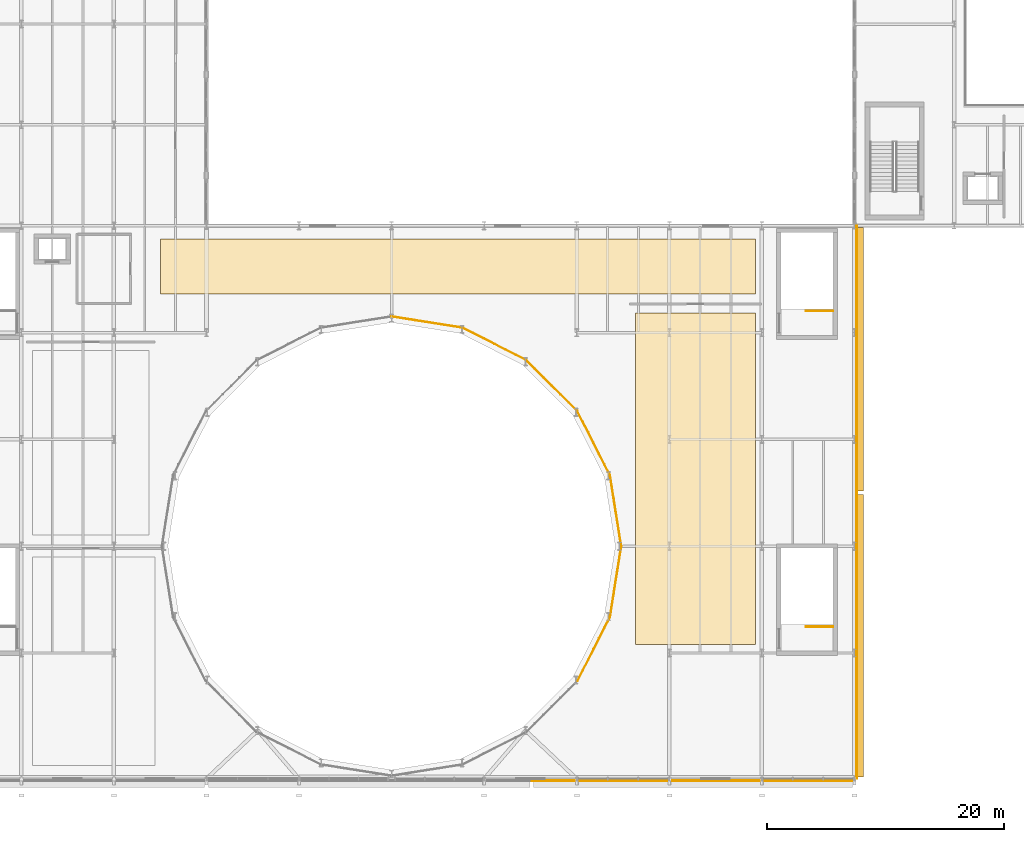
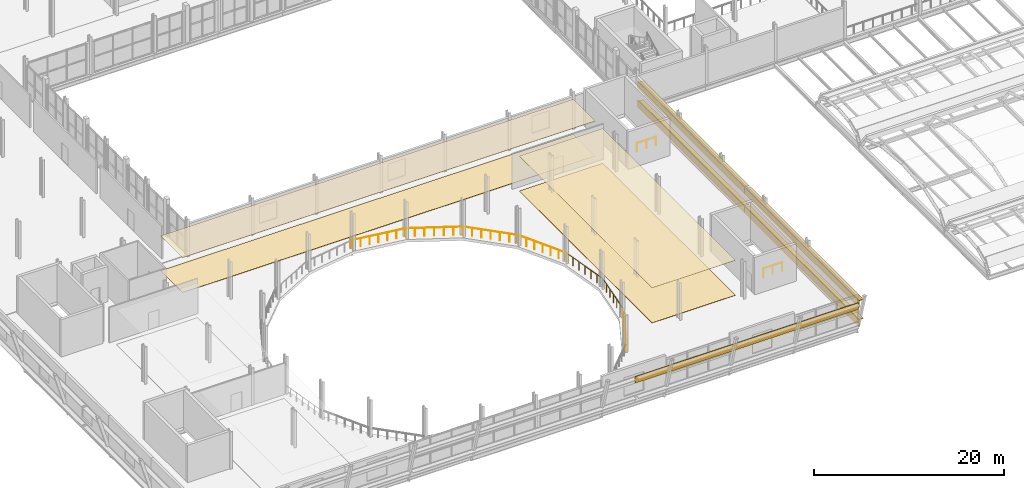
# One storey, part 57 of 63: 9 coverings, 9 railings, 4 shading devices.
"""IFC4 building model written with IfcOpenShell, lengths in metres."""

from ifc_helpers import new_model, si_unit, direction, frame, origin, origin_2d, place, context, subcontext, project, spatial, polyline, rectangle, circle, outline, extrude, material, layer, layer_set, type_object, element, save


model = new_model("IFC4")

# Units and contexts
model_context = context("Model", 3, precision=1e-05, world=origin(), true_north=direction((0.0, 1.0)))
body_context = subcontext(model_context, "Body", "Model", "MODEL_VIEW")
ifc_project = project(units=[si_unit("LENGTHUNIT", "METRE"), si_unit("AREAUNIT", "SQUARE_METRE"), si_unit("VOLUMEUNIT", "CUBIC_METRE"), si_unit("PLANEANGLEUNIT", "RADIAN"), si_unit("MASSUNIT", "GRAM", prefix="KILO")], contexts=[model_context])

# Site, building, storey
site_placement = place(None, origin())
site = spatial("IfcSite", under=ifc_project, at=site_placement, CompositionType="ELEMENT")
building_placement = place(site_placement, origin())
building = spatial("IfcBuilding", under=site, at=building_placement, Name="Sefraquen Railside Congress Hotel", CompositionType="ELEMENT")
storey_placement = place(building_placement, frame((0.0, 0.0, 11.39990234375)))
storey = spatial("IfcBuildingStorey", under=building, at=storey_placement, Name="L02", CompositionType="ELEMENT", Elevation=11.39990234375)

# Coverings
ifc_material_1 = material(Name="Acoustic mineral and carved plaster ceiling", Category="gypsum")
ifc_layer_1 = layer(ifc_material_1, 0.0400390625)
ifc_layer_set_1 = layer_set([ifc_layer_1], Name="Acoustic mineral and carved plaster ceiling")
covering_type_1 = type_object("IfcCoveringType", Name="TCV-CEIL-01", PredefinedType="CEILING", material=ifc_layer_set_1)
covering_1_placement = place(storey_placement, frame((0.0, 0.0, 4.47998046875)))
element("IfcCovering", 1, at=covering_1_placement, inside=storey, type_object=covering_type_1, Name="Heads of Delegation Lounge acoustic ceiling finish", PredefinedType="CEILING", context=body_context, shape_type="SweptSolid", body=[
    extrude(outline(polyline([(84.72998046875, 18.72998046875), (94.8701171875, 18.72998046875), (94.8701171875, 46.669921875), (84.72998046875, 46.669921875), (84.72998046875, 18.72998046875)])), origin(), (0.0, 0.0, 1.0), 0.0400390625),
])
covering_2_placement = place(storey_placement, frame((0.0, 0.0, 4.47998046875)))
element("IfcCovering", 2, at=covering_2_placement, inside=storey, type_object=covering_type_1, Name="Congress L02 Perimeter Gallery acoustic ceiling finish", PredefinedType="CEILING", context=body_context, shape_type="SweptSolid", body=[
    extrude(outline(polyline([(44.72998046875, 48.22998046875), (94.8701171875, 48.22998046875), (94.8701171875, 52.8701171875), (44.72998046875, 52.8701171875), (44.72998046875, 48.22998046875)])), origin(), (0.0, 0.0, 1.0), 0.0400390625),
])
ifc_material_2 = material(Name="Patinated architectural bronze", Category="metal")
ifc_layer_2 = layer(ifc_material_2, 0.080078125)
ifc_layer_set_2 = layer_set([ifc_layer_2], Name="Patinated architectural bronze")
covering_type_2 = type_object("IfcCoveringType", Name="TCV-CLAD-01", PredefinedType="CLADDING", material=ifc_layer_set_2)
covering_3_placement = place(storey_placement, frame((103.3798828125, 19.4501953125, -0.10498046875), z_axis=(0.0, 0.0, 1.0), x_axis=(1.0, 0.0, 0.0)))
element("IfcCovering", 3, at=covering_3_placement, inside=storey, type_object=covering_type_2, Name="Congress horizontal bronze cladding band L02-E1", PredefinedType="CLADDING", context=body_context, shape_type="SweptSolid", body=[
    extrude(rectangle(XDim=0.080078125, YDim=24.099609375, at=origin_2d()), origin(), (0.0, 0.0, 1.0), 0.85009765625),
])
covering_4_placement = place(storey_placement, frame((103.3798828125, 42.75, -0.10498046875), z_axis=(0.0, 0.0, 1.0), x_axis=(1.0, 0.0, 0.0)))
element("IfcCovering", 4, at=covering_4_placement, inside=storey, type_object=covering_type_2, Name="Congress horizontal bronze cladding band L02-E2", PredefinedType="CLADDING", context=body_context, shape_type="SweptSolid", body=[
    extrude(rectangle(XDim=0.080078125, YDim=22.5, at=origin_2d()), origin(), (0.0, 0.0, 1.0), 0.85009765625),
])
covering_5_placement = place(storey_placement, frame((89.60009765625, 7.23046875, 2.324951171875), z_axis=(0.0, 0.0, 1.0), x_axis=(1.0, 0.0, 0.0)))
element("IfcCovering", 5, at=covering_5_placement, inside=storey, type_object=covering_type_2, Name="Congress horizontal bronze cladding band L02-S3-B", PredefinedType="CLADDING", context=body_context, shape_type="SweptSolid", body=[
    extrude(rectangle(XDim=27.199951171875, YDim=0.080078125, at=origin_2d()), origin(), (0.0, 0.0, 1.0), 0.85009765625),
])
covering_6_placement = place(storey_placement, frame((103.3798828125, 19.4501953125, 2.324951171875), z_axis=(0.0, 0.0, 1.0), x_axis=(1.0, 0.0, 0.0)))
element("IfcCovering", 6, at=covering_6_placement, inside=storey, type_object=covering_type_2, Name="Congress horizontal bronze cladding band L02-E1-B", PredefinedType="CLADDING", context=body_context, shape_type="SweptSolid", body=[
    extrude(rectangle(XDim=0.080078125, YDim=24.099609375, at=origin_2d()), origin(), (0.0, 0.0, 1.0), 0.85009765625),
])
covering_7_placement = place(storey_placement, frame((103.3798828125, 42.75, 2.324951171875), z_axis=(0.0, 0.0, 1.0), x_axis=(1.0, 0.0, 0.0)))
element("IfcCovering", 7, at=covering_7_placement, inside=storey, type_object=covering_type_2, Name="Congress horizontal bronze cladding band L02-E2-B", PredefinedType="CLADDING", context=body_context, shape_type="SweptSolid", body=[
    extrude(rectangle(XDim=0.080078125, YDim=22.5, at=origin_2d()), origin(), (0.0, 0.0, 1.0), 0.85009765625),
])
ifc_material_3 = material(Name="Moroccan zellige ceramic and honed stone flooring", Category="masonry")
ifc_layer_3 = layer(ifc_material_3, 0.0400390625)
ifc_layer_set_3 = layer_set([ifc_layer_3], Name="Moroccan zellige ceramic and honed stone flooring")
covering_type_3 = type_object("IfcCoveringType", Name="TCV-FLR-01", PredefinedType="FLOORING", material=ifc_layer_set_3)
covering_8_placement = place(storey_placement, origin())
element("IfcCovering", 8, at=covering_8_placement, inside=storey, type_object=covering_type_3, Name="Heads of Delegation Lounge architectural floor finish", PredefinedType="FLOORING", context=body_context, shape_type="SweptSolid", body=[
    extrude(outline(polyline([(84.72998046875, 18.72998046875), (94.8701171875, 18.72998046875), (94.8701171875, 46.669921875), (84.72998046875, 46.669921875), (84.72998046875, 18.72998046875)])), origin(), (0.0, 0.0, 1.0), 0.0400390625),
])
covering_9_placement = place(storey_placement, origin())
element("IfcCovering", 9, at=covering_9_placement, inside=storey, type_object=covering_type_3, Name="Congress L02 Perimeter Gallery architectural floor finish", PredefinedType="FLOORING", context=body_context, shape_type="SweptSolid", body=[
    extrude(outline(polyline([(44.72998046875, 48.22998046875), (94.8701171875, 48.22998046875), (94.8701171875, 52.8701171875), (44.72998046875, 52.8701171875), (44.72998046875, 48.22998046875)])), origin(), (0.0, 0.0, 1.0), 0.0400390625),
])

# Railings
ifc_material_4 = material(Name="Patinated wrought architectural bronze", Category="metal")
railing_type = type_object("IfcRailingType", Name="TRL-BAL-110", PredefinedType="BALUSTRADE", material=ifc_material_4)
railing_1_placement = place(storey_placement, frame((83.550048828125, 27.0, 0.0)))
element("IfcRailing", 10, at=railing_1_placement, inside=storey, type_object=railing_type, Name="Congress Hall L02 upper gallery acoustic guard", PredefinedType="BALUSTRADE", context=body_context, shape_type="SweptSolid", body=[
    extrude(circle(Radius=0.02392578125, at=origin_2d()), frame((0.0, 0.0, 1.09619140625), z_axis=(-0.156467836496, 0.987683054498, 0.0), x_axis=(-0.987683054498, -0.156467836496, 0.0)), (0.0, 0.0, 1.0), 6.053955078125),
    extrude(circle(Radius=0.02099609375, at=origin_2d()), origin(), (0.0, 0.0, 1.0), 1.072021484375),
    extrude(circle(Radius=0.02099609375, at=origin_2d()), frame((-0.157958984375, 0.99658203125, 0.0)), (0.0, 0.0, 1.0), 1.072021484375),
    extrude(circle(Radius=0.02099609375, at=origin_2d()), frame((-0.315673828125, 1.9931640625, 0.0)), (0.0, 0.0, 1.0), 1.072021484375),
    extrude(circle(Radius=0.02099609375, at=origin_2d()), frame((-0.4736328125, 2.98974609375, 0.0)), (0.0, 0.0, 1.0), 1.072021484375),
    extrude(circle(Radius=0.02099609375, at=origin_2d()), frame((-0.631591796875, 3.986328125, 0.0)), (0.0, 0.0, 1.0), 1.072021484375),
    extrude(circle(Radius=0.02099609375, at=origin_2d()), frame((-0.789306640625, 4.98291015625, 0.0)), (0.0, 0.0, 1.0), 1.072021484375),
    extrude(circle(Radius=0.02099609375, at=origin_2d()), frame((-0.947265625, 5.9794921875, 0.0)), (0.0, 0.0, 1.0), 1.072021484375),
])
railing_2_placement = place(storey_placement, frame((82.602783203125, 32.9794921875, 0.0)))
element("IfcRailing", 11, at=railing_2_placement, inside=storey, type_object=railing_type, Name="Congress Hall L02 upper gallery acoustic guard", PredefinedType="BALUSTRADE", context=body_context, shape_type="SweptSolid", body=[
    extrude(circle(Radius=0.02392578125, at=origin_2d()), frame((0.0, 0.0, 1.09619140625), z_axis=(-0.453975923235, 0.891013951138, 0.0), x_axis=(-0.891013951138, -0.453975923235, 0.0)), (0.0, 0.0, 1.0), 6.0537109375),
    extrude(circle(Radius=0.02099609375, at=origin_2d()), origin(), (0.0, 0.0, 1.0), 1.072021484375),
    extrude(circle(Radius=0.02099609375, at=origin_2d()), frame((-0.4580078125, 0.89892578125, 0.0)), (0.0, 0.0, 1.0), 1.072021484375),
    extrude(circle(Radius=0.02099609375, at=origin_2d()), frame((-0.916015625, 1.798095703125, 0.0)), (0.0, 0.0, 1.0), 1.072021484375),
    extrude(circle(Radius=0.02099609375, at=origin_2d()), frame((-1.3740234375, 2.697021484375, 0.0)), (0.0, 0.0, 1.0), 1.072021484375),
    extrude(circle(Radius=0.02099609375, at=origin_2d()), frame((-1.832275390625, 3.595947265625, 0.0)), (0.0, 0.0, 1.0), 1.072021484375),
    extrude(circle(Radius=0.02099609375, at=origin_2d()), frame((-2.290283203125, 4.4951171875, 0.0)), (0.0, 0.0, 1.0), 1.072021484375),
    extrude(circle(Radius=0.02099609375, at=origin_2d()), frame((-2.748291015625, 5.39404296875, 0.0)), (0.0, 0.0, 1.0), 1.072021484375),
])
railing_3_placement = place(storey_placement, frame((79.8544921875, 38.37353515625, 0.0)))
element("IfcRailing", 12, at=railing_3_placement, inside=storey, type_object=railing_type, Name="Congress Hall L02 upper gallery acoustic guard", PredefinedType="BALUSTRADE", context=body_context, shape_type="SweptSolid", body=[
    extrude(circle(Radius=0.02392578125, at=origin_2d()), frame((0.0, 0.0, 1.09619140625), z_axis=(-0.707106781187, 0.707106781187, 0.0), x_axis=(-0.707106781187, -0.707106781187, 0.0)), (0.0, 0.0, 1.0), 6.05419921875),
    extrude(circle(Radius=0.02099609375, at=origin_2d()), origin(), (0.0, 0.0, 1.0), 1.072021484375),
    extrude(circle(Radius=0.02099609375, at=origin_2d()), frame((-0.71337890625, 0.71337890625, 0.0)), (0.0, 0.0, 1.0), 1.072021484375),
    extrude(circle(Radius=0.02099609375, at=origin_2d()), frame((-1.427001953125, 1.427001953125, 0.0)), (0.0, 0.0, 1.0), 1.072021484375),
    extrude(circle(Radius=0.02099609375, at=origin_2d()), frame((-2.140625, 2.140625, 0.0)), (0.0, 0.0, 1.0), 1.072021484375),
    extrude(circle(Radius=0.02099609375, at=origin_2d()), frame((-2.85400390625, 2.85400390625, 0.0)), (0.0, 0.0, 1.0), 1.072021484375),
    extrude(circle(Radius=0.02099609375, at=origin_2d()), frame((-3.5673828125, 3.5673828125, 0.0)), (0.0, 0.0, 1.0), 1.072021484375),
    extrude(circle(Radius=0.02099609375, at=origin_2d()), frame((-4.281005859375, 4.281005859375, 0.0)), (0.0, 0.0, 1.0), 1.072021484375),
])
railing_4_placement = place(storey_placement, frame((75.573486328125, 42.654541015625, 0.0)))
element("IfcRailing", 13, at=railing_4_placement, inside=storey, type_object=railing_type, Name="Congress Hall L02 upper gallery acoustic guard", PredefinedType="BALUSTRADE", context=body_context, shape_type="SweptSolid", body=[
    extrude(circle(Radius=0.02392578125, at=origin_2d()), frame((0.0, 0.0, 1.09619140625), z_axis=(-0.891013951138, 0.453975923235, 0.0), x_axis=(-0.453975923235, -0.891013951138, 0.0)), (0.0, 0.0, 1.0), 6.0537109375),
    extrude(circle(Radius=0.02099609375, at=origin_2d()), origin(), (0.0, 0.0, 1.0), 1.072021484375),
    extrude(circle(Radius=0.02099609375, at=origin_2d()), frame((-0.89892578125, 0.4580078125, 0.0)), (0.0, 0.0, 1.0), 1.072021484375),
    extrude(circle(Radius=0.02099609375, at=origin_2d()), frame((-1.798095703125, 0.916015625, 0.0)), (0.0, 0.0, 1.0), 1.072021484375),
    extrude(circle(Radius=0.02099609375, at=origin_2d()), frame((-2.697021484375, 1.3740234375, 0.0)), (0.0, 0.0, 1.0), 1.072021484375),
    extrude(circle(Radius=0.02099609375, at=origin_2d()), frame((-3.595947265625, 1.832275390625, 0.0)), (0.0, 0.0, 1.0), 1.072021484375),
    extrude(circle(Radius=0.02099609375, at=origin_2d()), frame((-4.4951171875, 2.290283203125, 0.0)), (0.0, 0.0, 1.0), 1.072021484375),
    extrude(circle(Radius=0.02099609375, at=origin_2d()), frame((-5.39404296875, 2.748291015625, 0.0)), (0.0, 0.0, 1.0), 1.072021484375),
])
railing_5_placement = place(storey_placement, frame((70.179443359375, 45.40283203125, 0.0)))
element("IfcRailing", 14, at=railing_5_placement, inside=storey, type_object=railing_type, Name="Congress Hall L02 upper gallery acoustic guard", PredefinedType="BALUSTRADE", context=body_context, shape_type="SweptSolid", body=[
    extrude(circle(Radius=0.02392578125, at=origin_2d()), frame((0.0, 0.0, 1.09619140625), z_axis=(-0.987683054498, 0.156467836496, 0.0), x_axis=(-0.156467836496, -0.987683054498, 0.0)), (0.0, 0.0, 1.0), 6.053955078125),
    extrude(circle(Radius=0.02099609375, at=origin_2d()), origin(), (0.0, 0.0, 1.0), 1.072021484375),
    extrude(circle(Radius=0.02099609375, at=origin_2d()), frame((-0.99658203125, 0.157958984375, 0.0)), (0.0, 0.0, 1.0), 1.072021484375),
    extrude(circle(Radius=0.02099609375, at=origin_2d()), frame((-1.9931640625, 0.315673828125, 0.0)), (0.0, 0.0, 1.0), 1.072021484375),
    extrude(circle(Radius=0.02099609375, at=origin_2d()), frame((-2.98974609375, 0.4736328125, 0.0)), (0.0, 0.0, 1.0), 1.072021484375),
    extrude(circle(Radius=0.02099609375, at=origin_2d()), frame((-3.986328125, 0.631591796875, 0.0)), (0.0, 0.0, 1.0), 1.072021484375),
    extrude(circle(Radius=0.02099609375, at=origin_2d()), frame((-4.98291015625, 0.789306640625, 0.0)), (0.0, 0.0, 1.0), 1.072021484375),
    extrude(circle(Radius=0.02099609375, at=origin_2d()), frame((-5.9794921875, 0.947265625, 0.0)), (0.0, 0.0, 1.0), 1.072021484375),
])
railing_6_placement = place(storey_placement, frame((79.8544921875, 15.62646484375, 0.0)))
element("IfcRailing", 15, at=railing_6_placement, inside=storey, type_object=railing_type, Name="Congress Hall L02 upper gallery acoustic guard", PredefinedType="BALUSTRADE", context=body_context, shape_type="SweptSolid", body=[
    extrude(circle(Radius=0.02392578125, at=origin_2d()), frame((0.0, 0.0, 1.09619140625), z_axis=(0.453975923235, 0.891013951138, 0.0), x_axis=(-0.891013951138, 0.453975923235, 0.0)), (0.0, 0.0, 1.0), 6.0537109375),
    extrude(circle(Radius=0.02099609375, at=origin_2d()), origin(), (0.0, 0.0, 1.0), 1.072021484375),
    extrude(circle(Radius=0.02099609375, at=origin_2d()), frame((0.4580078125, 0.89892578125, 0.0)), (0.0, 0.0, 1.0), 1.072021484375),
    extrude(circle(Radius=0.02099609375, at=origin_2d()), frame((0.916015625, 1.798095703125, 0.0)), (0.0, 0.0, 1.0), 1.072021484375),
    extrude(circle(Radius=0.02099609375, at=origin_2d()), frame((1.3740234375, 2.697021484375, 0.0)), (0.0, 0.0, 1.0), 1.072021484375),
    extrude(circle(Radius=0.02099609375, at=origin_2d()), frame((1.832275390625, 3.595947265625, 0.0)), (0.0, 0.0, 1.0), 1.072021484375),
    extrude(circle(Radius=0.02099609375, at=origin_2d()), frame((2.290283203125, 4.4951171875, 0.0)), (0.0, 0.0, 1.0), 1.072021484375),
    extrude(circle(Radius=0.02099609375, at=origin_2d()), frame((2.748291015625, 5.39404296875, 0.0)), (0.0, 0.0, 1.0), 1.072021484375),
])
railing_7_placement = place(storey_placement, frame((82.602783203125, 21.0205078125, 0.0)))
element("IfcRailing", 16, at=railing_7_placement, inside=storey, type_object=railing_type, Name="Congress Hall L02 upper gallery acoustic guard", PredefinedType="BALUSTRADE", context=body_context, shape_type="SweptSolid", body=[
    extrude(circle(Radius=0.02392578125, at=origin_2d()), frame((0.0, 0.0, 1.09619140625), z_axis=(0.156467836496, 0.987683054498, 0.0), x_axis=(-0.987683054498, 0.156467836496, 0.0)), (0.0, 0.0, 1.0), 6.053955078125),
    extrude(circle(Radius=0.02099609375, at=origin_2d()), origin(), (0.0, 0.0, 1.0), 1.072021484375),
    extrude(circle(Radius=0.02099609375, at=origin_2d()), frame((0.157958984375, 0.99658203125, 0.0)), (0.0, 0.0, 1.0), 1.072021484375),
    extrude(circle(Radius=0.02099609375, at=origin_2d()), frame((0.315673828125, 1.9931640625, 0.0)), (0.0, 0.0, 1.0), 1.072021484375),
    extrude(circle(Radius=0.02099609375, at=origin_2d()), frame((0.4736328125, 2.98974609375, 0.0)), (0.0, 0.0, 1.0), 1.072021484375),
    extrude(circle(Radius=0.02099609375, at=origin_2d()), frame((0.631591796875, 3.986328125, 0.0)), (0.0, 0.0, 1.0), 1.072021484375),
    extrude(circle(Radius=0.02099609375, at=origin_2d()), frame((0.789306640625, 4.98291015625, 0.0)), (0.0, 0.0, 1.0), 1.072021484375),
    extrude(circle(Radius=0.02099609375, at=origin_2d()), frame((0.947265625, 5.9794921875, 0.0)), (0.0, 0.0, 1.0), 1.072021484375),
])
for number, where, name in (
    (17, (101.39990234375, 20.2099609375, 0.0), "L02 ST-C03 top well guard 1"),
    (18, (101.39990234375, 46.800048828125, 0.0), "L02 ST-C04 top well guard 1"),
):
    element("IfcRailing", number, at=place(storey_placement, frame(where)), inside=storey, type_object=railing_type, Name=name, PredefinedType="BALUSTRADE", context=body_context, shape_type="SweptSolid", body=[
        extrude(circle(Radius=0.02392578125, at=origin_2d()), frame((0.0, 0.0, 1.076171875), z_axis=(-1.0, 0.0, 0.0), x_axis=(0.0, -1.0, 0.0)), (0.0, 0.0, 1.0), 2.2998046875),
        extrude(circle(Radius=0.02099609375, at=origin_2d()), origin(), (0.0, 0.0, 1.0), 1.052001953125),
        extrude(circle(Radius=0.02099609375, at=origin_2d()), frame((-1.14990234375, 0.0, 0.0)), (0.0, 0.0, 1.0), 1.052001953125),
        extrude(circle(Radius=0.02099609375, at=origin_2d()), frame((-2.2998046875, 0.0, 0.0)), (0.0, 0.0, 1.0), 1.052001953125),
    ])

# Shading devices
ifc_layer_4 = layer(ifc_material_2, 0.06005859375)
ifc_layer_set_4 = layer_set([ifc_layer_4], Name="Patinated architectural bronze")
shading_device_type = type_object("IfcShadingDeviceType", Name="TSH-BS-01", PredefinedType="USERDEFINED", material=ifc_layer_set_4)
shading_device_1_placement = place(storey_placement, frame((103.679931640625, 19.4501953125, 0.64013671875), z_axis=(0.0, 0.0, 1.0), x_axis=(1.0, 0.0, 0.0)))
element("IfcShadingDevice", 19, at=shading_device_1_placement, inside=storey, type_object=shading_device_type, Name="Congress east horizontal brise-soleil L02-E1", ObjectType="BRISE SOLEIL", PredefinedType="USERDEFINED", context=body_context, shape_type="SweptSolid", body=[
    extrude(rectangle(XDim=0.550048828125, YDim=23.799560546875, at=origin_2d()), origin(), (0.0, 0.0, 1.0), 0.06005859375),
])
shading_device_2_placement = place(storey_placement, frame((103.679931640625, 42.75, 0.64013671875), z_axis=(0.0, 0.0, 1.0), x_axis=(1.0, 0.0, 0.0)))
element("IfcShadingDevice", 20, at=shading_device_2_placement, inside=storey, type_object=shading_device_type, Name="Congress east horizontal brise-soleil L02-E2", ObjectType="BRISE SOLEIL", PredefinedType="USERDEFINED", context=body_context, shape_type="SweptSolid", body=[
    extrude(rectangle(XDim=0.550048828125, YDim=22.199951171875, at=origin_2d()), origin(), (0.0, 0.0, 1.0), 0.06005859375),
])
shading_device_3_placement = place(storey_placement, frame((103.679931640625, 19.4501953125, 3.070068359375), z_axis=(0.0, 0.0, 1.0), x_axis=(1.0, 0.0, 0.0)))
element("IfcShadingDevice", 21, at=shading_device_3_placement, inside=storey, type_object=shading_device_type, Name="Congress east horizontal brise-soleil L02-E1-B", ObjectType="BRISE SOLEIL", PredefinedType="USERDEFINED", context=body_context, shape_type="SweptSolid", body=[
    extrude(rectangle(XDim=0.550048828125, YDim=23.799560546875, at=origin_2d()), origin(), (0.0, 0.0, 1.0), 0.06005859375),
])
shading_device_4_placement = place(storey_placement, frame((103.679931640625, 42.75, 3.070068359375), z_axis=(0.0, 0.0, 1.0), x_axis=(1.0, 0.0, 0.0)))
element("IfcShadingDevice", 22, at=shading_device_4_placement, inside=storey, type_object=shading_device_type, Name="Congress east horizontal brise-soleil L02-E2-B", ObjectType="BRISE SOLEIL", PredefinedType="USERDEFINED", context=body_context, shape_type="SweptSolid", body=[
    extrude(rectangle(XDim=0.550048828125, YDim=22.199951171875, at=origin_2d()), origin(), (0.0, 0.0, 1.0), 0.06005859375),
])

save(model, "model.ifc")
